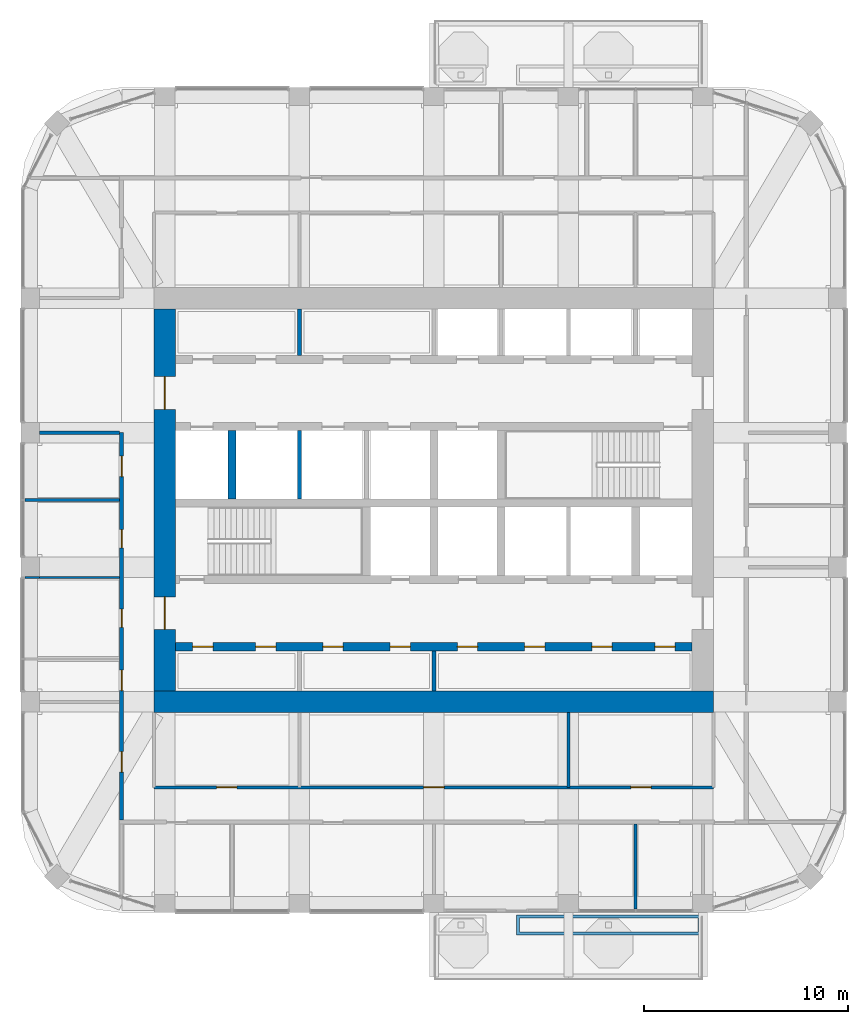
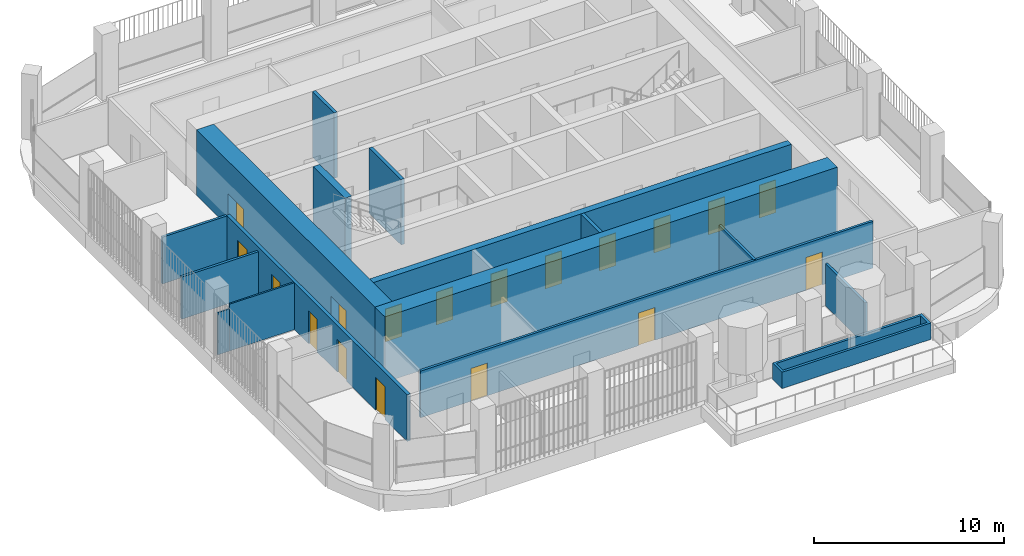
# One storey, part 14 of 21: 18 doors, 16 walls, 18 openings.
"""IFC4 building model written with IfcOpenShell, lengths in metres."""

from ifc_helpers import new_model, si_unit, direction, frame, frame_2d, origin, place, context, subcontext, project, spatial, polyline, rectangle, outline, extrude, material, layer, layer_set, type_object, element, fill, save


model = new_model("IFC4")

# Units and contexts
model_context = context("Model", 3, precision=1e-05, world=origin(), true_north=direction((0.0, 1.0)))
body_context = subcontext(model_context, "Body", "Model", "MODEL_VIEW")
ifc_project = project(units=[si_unit("LENGTHUNIT", "METRE"), si_unit("AREAUNIT", "SQUARE_METRE"), si_unit("VOLUMEUNIT", "CUBIC_METRE"), si_unit("PLANEANGLEUNIT", "RADIAN"), si_unit("MASSUNIT", "GRAM", prefix="KILO")], contexts=[model_context])

# Site, building, storey
site_placement = place(None, origin())
site = spatial("IfcSite", under=ifc_project, at=site_placement, CompositionType="ELEMENT")
building_placement = place(site_placement, origin())
building = spatial("IfcBuilding", under=site, at=building_placement, Name="Cobogo Forest Laboratory Tower", CompositionType="ELEMENT")
storey_placement = place(building_placement, frame((0.0, 0.0, 283.800048828125)))
storey = spatial("IfcBuildingStorey", under=building, at=storey_placement, Name="L65", CompositionType="ELEMENT", Elevation=283.800048828125)

# Wall, openings, doors
ifc_material_1 = material(Name="Concrete HA-50 (C50/60)", Category="concrete")
ifc_layer_1 = layer(ifc_material_1, 0.39990234375)
ifc_layer_set_1 = layer_set([ifc_layer_1], Name="CI400 core inner wall 400")
wall_type_1 = type_object("IfcWallType", Name="CI400 core inner wall 400", PredefinedType="SHEAR", material=ifc_layer_set_1)
wall_1_placement = place(storey_placement, frame((13.72509765625, 15.89990234375, 0.0), z_axis=(0.0, 0.0, 1.0), x_axis=(1.0, 0.0, 0.0)))
wall_1 = element("IfcWall", 1, at=wall_1_placement, inside=storey, type_object=wall_type_1, Name="Core wall CI-15.9 L65", PredefinedType="SHEAR", context=body_context, shape_type="SweptSolid", body=[
    extrude(rectangle(XDim=25.349853515625, YDim=0.39990234375, at=frame_2d((12.6748046875, 0.0))), origin(), (0.0, 0.0, 1.0), 4.199951171875),
])
opening_1_placement = place(wall_1_placement, frame((0.83740234375, 0.0, 0.0)))
opening_1 = element("IfcOpeningElement", 2, at=opening_1_placement, cuts=wall_1, Name="Opening L65-D13", PredefinedType="OPENING", context=body_context, shape_type="SweptSolid", body=[
    extrude(rectangle(XDim=1.0, YDim=2.10009765625, at=frame_2d((0.5, 1.050048828125))), frame((0.0, 0.2099609375, 0.0), z_axis=(0.0, -1.0, 0.0), x_axis=(1.0, 0.0, 0.0)), (0.0, 0.0, 1.0), 0.419921875),
])
opening_2_placement = place(wall_1_placement, frame((3.925048828125, 0.0, 0.0)))
opening_2 = element("IfcOpeningElement", 3, at=opening_2_placement, cuts=wall_1, Name="Opening L65-D14", PredefinedType="OPENING", context=body_context, shape_type="SweptSolid", body=[
    extrude(rectangle(XDim=1.0, YDim=2.10009765625, at=frame_2d((0.5, 1.050048828125))), frame((0.0, 0.2099609375, 0.0), z_axis=(0.0, -1.0, 0.0), x_axis=(1.0, 0.0, 0.0)), (0.0, 0.0, 1.0), 0.419921875),
])
opening_3_placement = place(wall_1_placement, frame((7.22509765625, 0.0, 0.0)))
opening_3 = element("IfcOpeningElement", 4, at=opening_3_placement, cuts=wall_1, Name="Opening L65-D15", PredefinedType="OPENING", context=body_context, shape_type="SweptSolid", body=[
    extrude(rectangle(XDim=1.0, YDim=2.10009765625, at=frame_2d((0.5, 1.050048828125))), frame((0.0, 0.2099609375, 0.0), z_axis=(0.0, -1.0, 0.0), x_axis=(1.0, 0.0, 0.0)), (0.0, 0.0, 1.0), 0.419921875),
])
opening_4_placement = place(wall_1_placement, frame((10.52490234375, 0.0, 0.0)))
opening_4 = element("IfcOpeningElement", 5, at=opening_4_placement, cuts=wall_1, Name="Opening L65-D16", PredefinedType="OPENING", context=body_context, shape_type="SweptSolid", body=[
    extrude(rectangle(XDim=1.0, YDim=2.10009765625, at=frame_2d((0.5, 1.050048828125))), frame((0.0, 0.2099609375, 0.0), z_axis=(0.0, -1.0, 0.0), x_axis=(1.0, 0.0, 0.0)), (0.0, 0.0, 1.0), 0.419921875),
])
opening_5_placement = place(wall_1_placement, frame((13.824951171875, 0.0, 0.0)))
opening_5 = element("IfcOpeningElement", 6, at=opening_5_placement, cuts=wall_1, Name="Opening L65-D17", PredefinedType="OPENING", context=body_context, shape_type="SweptSolid", body=[
    extrude(rectangle(XDim=1.0, YDim=2.10009765625, at=frame_2d((0.5, 1.050048828125))), frame((0.0, 0.2099609375, 0.0), z_axis=(0.0, -1.0, 0.0), x_axis=(1.0, 0.0, 0.0)), (0.0, 0.0, 1.0), 0.419921875),
])
opening_6_placement = place(wall_1_placement, frame((17.125, 0.0, 0.0)))
opening_6 = element("IfcOpeningElement", 7, at=opening_6_placement, cuts=wall_1, Name="Opening L65-D18", PredefinedType="OPENING", context=body_context, shape_type="SweptSolid", body=[
    extrude(rectangle(XDim=1.0, YDim=2.10009765625, at=frame_2d((0.5, 1.050048828125))), frame((0.0, 0.2099609375, 0.0), z_axis=(0.0, -1.0, 0.0), x_axis=(1.0, 0.0, 0.0)), (0.0, 0.0, 1.0), 0.419921875),
])
opening_7_placement = place(wall_1_placement, frame((20.425048828125, 0.0, 0.0)))
opening_7 = element("IfcOpeningElement", 8, at=opening_7_placement, cuts=wall_1, Name="Opening L65-D19", PredefinedType="OPENING", context=body_context, shape_type="SweptSolid", body=[
    extrude(rectangle(XDim=1.0, YDim=2.10009765625, at=frame_2d((0.5, 1.050048828125))), frame((0.0, 0.2099609375, 0.0), z_axis=(0.0, -1.0, 0.0), x_axis=(1.0, 0.0, 0.0)), (0.0, 0.0, 1.0), 0.419921875),
])
opening_8_placement = place(wall_1_placement, frame((23.512451171875, 0.0, 0.0)))
opening_8 = element("IfcOpeningElement", 9, at=opening_8_placement, cuts=wall_1, Name="Opening L65-D20", PredefinedType="OPENING", context=body_context, shape_type="SweptSolid", body=[
    extrude(rectangle(XDim=1.0, YDim=2.10009765625, at=frame_2d((0.5, 1.050048828125))), frame((0.0, 0.2099609375, 0.0), z_axis=(0.0, -1.0, 0.0), x_axis=(1.0, 0.0, 0.0)), (0.0, 0.0, 1.0), 0.419921875),
])
ifc_material_2 = material(Name="Steel fire door", Category="steel")
door_type_1 = type_object("IfcDoorType", Name="FD1 fire door 1000 EI2 60", OperationType="SINGLE_SWING_LEFT", PredefinedType="DOOR", material=ifc_material_2)
door_1_placement = place(opening_1_placement, origin())
door_1 = element("IfcDoor", 10, at=door_1_placement, inside=storey, type_object=door_type_1, Name="Door L65-SH-LA1", OperationType="SINGLE_SWING_LEFT", OverallHeight=2.10009765625, OverallWidth=1.0, PredefinedType="DOOR", context=body_context, shape_type="SweptSolid", body=[
    extrude(rectangle(XDim=1.0, YDim=2.10009765625, at=frame_2d((0.5, 1.050048828125))), frame((0.0, 0.02490234375, 0.0), z_axis=(0.0, -1.0, 0.0), x_axis=(1.0, 0.0, 0.0)), (0.0, 0.0, 1.0), 0.050048828125),
])
fill(opening_1, door_1)
door_2_placement = place(opening_2_placement, origin())
door_2 = element("IfcDoor", 11, at=door_2_placement, inside=storey, type_object=door_type_1, Name="Door L65-SH-LA2", OperationType="SINGLE_SWING_LEFT", OverallHeight=2.10009765625, OverallWidth=1.0, PredefinedType="DOOR", context=body_context, shape_type="SweptSolid", body=[
    extrude(rectangle(XDim=1.0, YDim=2.10009765625, at=frame_2d((0.5, 1.050048828125))), frame((0.0, 0.02490234375, 0.0), z_axis=(0.0, -1.0, 0.0), x_axis=(1.0, 0.0, 0.0)), (0.0, 0.0, 1.0), 0.050048828125),
])
fill(opening_2, door_2)
door_3_placement = place(opening_3_placement, origin())
door_3 = element("IfcDoor", 12, at=door_3_placement, inside=storey, type_object=door_type_1, Name="Door L65-SH-LA3", OperationType="SINGLE_SWING_LEFT", OverallHeight=2.10009765625, OverallWidth=1.0, PredefinedType="DOOR", context=body_context, shape_type="SweptSolid", body=[
    extrude(rectangle(XDim=1.0, YDim=2.10009765625, at=frame_2d((0.5, 1.050048828125))), frame((0.0, 0.02490234375, 0.0), z_axis=(0.0, -1.0, 0.0), x_axis=(1.0, 0.0, 0.0)), (0.0, 0.0, 1.0), 0.050048828125),
])
fill(opening_3, door_3)
door_4_placement = place(opening_4_placement, origin())
door_4 = element("IfcDoor", 13, at=door_4_placement, inside=storey, type_object=door_type_1, Name="Door L65-SH-LA4", OperationType="SINGLE_SWING_LEFT", OverallHeight=2.10009765625, OverallWidth=1.0, PredefinedType="DOOR", context=body_context, shape_type="SweptSolid", body=[
    extrude(rectangle(XDim=1.0, YDim=2.10009765625, at=frame_2d((0.5, 1.050048828125))), frame((0.0, 0.02490234375, 0.0), z_axis=(0.0, -1.0, 0.0), x_axis=(1.0, 0.0, 0.0)), (0.0, 0.0, 1.0), 0.050048828125),
])
fill(opening_4, door_4)
door_5_placement = place(opening_5_placement, origin())
door_5 = element("IfcDoor", 14, at=door_5_placement, inside=storey, type_object=door_type_1, Name="Door L65-SH-LB1", OperationType="SINGLE_SWING_RIGHT", OverallHeight=2.10009765625, OverallWidth=1.0, PredefinedType="DOOR", context=body_context, shape_type="SweptSolid", body=[
    extrude(rectangle(XDim=1.0, YDim=2.10009765625, at=frame_2d((0.5, 1.050048828125))), frame((0.0, 0.02490234375, 0.0), z_axis=(0.0, -1.0, 0.0), x_axis=(1.0, 0.0, 0.0)), (0.0, 0.0, 1.0), 0.050048828125),
])
fill(opening_5, door_5)
door_6_placement = place(opening_6_placement, origin())
door_6 = element("IfcDoor", 15, at=door_6_placement, inside=storey, type_object=door_type_1, Name="Door L65-SH-LB2", OperationType="SINGLE_SWING_RIGHT", OverallHeight=2.10009765625, OverallWidth=1.0, PredefinedType="DOOR", context=body_context, shape_type="SweptSolid", body=[
    extrude(rectangle(XDim=1.0, YDim=2.10009765625, at=frame_2d((0.5, 1.050048828125))), frame((0.0, 0.02490234375, 0.0), z_axis=(0.0, -1.0, 0.0), x_axis=(1.0, 0.0, 0.0)), (0.0, 0.0, 1.0), 0.050048828125),
])
fill(opening_6, door_6)
door_7_placement = place(opening_7_placement, origin())
door_7 = element("IfcDoor", 16, at=door_7_placement, inside=storey, type_object=door_type_1, Name="Door L65-SH-LB3", OperationType="SINGLE_SWING_RIGHT", OverallHeight=2.10009765625, OverallWidth=1.0, PredefinedType="DOOR", context=body_context, shape_type="SweptSolid", body=[
    extrude(rectangle(XDim=1.0, YDim=2.10009765625, at=frame_2d((0.5, 1.050048828125))), frame((0.0, 0.02490234375, 0.0), z_axis=(0.0, -1.0, 0.0), x_axis=(1.0, 0.0, 0.0)), (0.0, 0.0, 1.0), 0.050048828125),
])
fill(opening_7, door_7)
door_8_placement = place(opening_8_placement, origin())
door_8 = element("IfcDoor", 17, at=door_8_placement, inside=storey, type_object=door_type_1, Name="Door L65-SH-LB4", OperationType="SINGLE_SWING_RIGHT", OverallHeight=2.10009765625, OverallWidth=1.0, PredefinedType="DOOR", context=body_context, shape_type="SweptSolid", body=[
    extrude(rectangle(XDim=1.0, YDim=2.10009765625, at=frame_2d((0.5, 1.050048828125))), frame((0.0, 0.02490234375, 0.0), z_axis=(0.0, -1.0, 0.0), x_axis=(1.0, 0.0, 0.0)), (0.0, 0.0, 1.0), 0.050048828125),
])
fill(opening_8, door_8)

# Walls
wall_2_placement = place(storey_placement, frame((16.5, 23.14990234375, 0.0), z_axis=(0.0, 0.0, 1.0), x_axis=(0.0, 1.0, 0.0)))
element("IfcWall", 18, at=wall_2_placement, inside=storey, type_object=wall_type_1, Name="Core wall CX-16.5 L65", PredefinedType="SHEAR", context=body_context, shape_type="SweptSolid", body=[
    extrude(rectangle(XDim=3.35009765625, YDim=0.39990234375, at=frame_2d((1.675048828125, 0.0))), origin(), (0.0, 0.0, 1.0), 4.199951171875),
])
ifc_layer_2 = layer(ifc_material_1, 1.050048828125)
ifc_layer_set_2 = layer_set([ifc_layer_2], Name="CW1050 core outer wall 1050")
wall_type_2 = type_object("IfcWallType", Name="CW1050 core outer wall 1050", PredefinedType="SHEAR", material=ifc_layer_set_2)
wall_3_placement = place(storey_placement, frame((12.675048828125, 13.199951171875, 0.0), z_axis=(0.0, 0.0, 1.0), x_axis=(1.0, 0.0, 0.0)))
element("IfcWall", 19, at=wall_3_placement, inside=storey, type_object=wall_type_2, Name="Core wall CO-S L65", PredefinedType="SHEAR", context=body_context, shape_type="SweptSolid", body=[
    extrude(rectangle(XDim=27.449951171875, YDim=1.050048828125, at=frame_2d((13.72509765625, 0.0))), origin(), (0.0, 0.0, 1.0), 4.199951171875),
])

# Wall, openings, doors
wall_4_placement = place(storey_placement, frame((13.199951171875, 32.47509765625, 0.0), z_axis=(0.0, 0.0, 1.0), x_axis=(0.0, -1.0, 0.0)))
wall_4 = element("IfcWall", 20, at=wall_4_placement, inside=storey, type_object=wall_type_2, Name="Core wall CO-W L65", PredefinedType="SHEAR", context=body_context, shape_type="SweptSolid", body=[
    extrude(rectangle(XDim=18.75, YDim=1.050048828125, at=frame_2d((9.375, 0.0))), origin(), (0.0, 0.0, 1.0), 4.199951171875),
])
opening_9_placement = place(wall_4_placement, frame((14.125, 0.0, 0.0)))
opening_9 = element("IfcOpeningElement", 21, at=opening_9_placement, cuts=wall_4, Name="Opening L65-D22", PredefinedType="OPENING", context=body_context, shape_type="SweptSolid", body=[
    extrude(rectangle(XDim=1.60009765625, YDim=2.10009765625, at=frame_2d((0.800048828125, 1.050048828125))), frame((0.0, 0.534912109375, 0.0), z_axis=(0.0, -1.0, 0.0), x_axis=(1.0, 0.0, 0.0)), (0.0, 0.0, 1.0), 1.070068359375),
])
opening_10_placement = place(wall_4_placement, frame((3.324951171875, 0.0, 0.0)))
opening_10 = element("IfcOpeningElement", 22, at=opening_10_placement, cuts=wall_4, Name="Opening L65-D32", PredefinedType="OPENING", context=body_context, shape_type="SweptSolid", body=[
    extrude(rectangle(XDim=1.60009765625, YDim=2.10009765625, at=frame_2d((0.800048828125, 1.050048828125))), frame((0.0, 0.534912109375, 0.0), z_axis=(0.0, -1.0, 0.0), x_axis=(1.0, 0.0, 0.0)), (0.0, 0.0, 1.0), 1.070068359375),
])
door_type_2 = type_object("IfcDoorType", Name="DS2 protected lobby door pair 1600 EI2 60", OperationType="DOUBLE_DOOR_DOUBLE_SWING", PredefinedType="DOOR", material=ifc_material_2)
door_9_placement = place(opening_9_placement, origin())
door_9 = element("IfcDoor", 23, at=door_9_placement, inside=storey, type_object=door_type_2, Name="Door L65-CO-W-S", OperationType="DOUBLE_DOOR_DOUBLE_SWING", OverallHeight=2.10009765625, OverallWidth=1.60009765625, PredefinedType="DOOR", context=body_context, shape_type="SweptSolid", body=[
    extrude(rectangle(XDim=1.60009765625, YDim=2.10009765625, at=frame_2d((0.800048828125, 1.050048828125))), frame((0.0, 0.02490234375, 0.0), z_axis=(0.0, -1.0, 0.0), x_axis=(1.0, 0.0, 0.0)), (0.0, 0.0, 1.0), 0.050048828125),
])
fill(opening_9, door_9)
door_10_placement = place(opening_10_placement, origin())
door_10 = element("IfcDoor", 24, at=door_10_placement, inside=storey, type_object=door_type_2, Name="Door L65-CO-W-N", OperationType="DOUBLE_DOOR_DOUBLE_SWING", OverallHeight=2.10009765625, OverallWidth=1.60009765625, PredefinedType="DOOR", context=body_context, shape_type="SweptSolid", body=[
    extrude(rectangle(XDim=1.60009765625, YDim=2.10009765625, at=frame_2d((0.800048828125, 1.050048828125))), frame((0.0, 0.02490234375, 0.0), z_axis=(0.0, -1.0, 0.0), x_axis=(1.0, 0.0, 0.0)), (0.0, 0.0, 1.0), 0.050048828125),
])
fill(opening_10, door_10)

ifc_material_3 = material(Name="Gypsum board on steel studs", Category="steel")
ifc_layer_3 = layer(ifc_material_3, 0.14990234375)
ifc_layer_set_3 = layer_set([ifc_layer_3], Name="PT1 laboratory partition 150")
wall_type_3 = type_object("IfcWallType", Name="PT1 laboratory partition 150", PredefinedType="PARTITIONING", material=ifc_layer_set_3)
wall_5_placement = place(storey_placement, frame((12.675048828125, 9.0, 0.0), z_axis=(0.0, 0.0, 1.0), x_axis=(1.0, 0.0, 0.0)))
wall_5 = element("IfcWall", 25, at=wall_5_placement, inside=storey, type_object=wall_type_3, Name="Partition CSTRIP-S L65", PredefinedType="PARTITIONING", context=body_context, shape_type="SweptSolid", body=[
    extrude(rectangle(XDim=27.449951171875, YDim=0.14990234375, at=frame_2d((13.72509765625, 0.0))), origin(), (0.0, 0.0, 1.0), 3.0),
])
opening_11_placement = place(wall_5_placement, frame((3.0625, 0.0, 0.0)))
opening_11 = element("IfcOpeningElement", 26, at=opening_11_placement, cuts=wall_5, Name="Opening L65-D07", PredefinedType="OPENING", context=body_context, shape_type="SweptSolid", body=[
    extrude(rectangle(XDim=1.0, YDim=2.10009765625, at=frame_2d((0.5, 1.050048828125))), frame((0.0, 0.0849609375, 0.0), z_axis=(0.0, -1.0, 0.0), x_axis=(1.0, 0.0, 0.0)), (0.0, 0.0, 1.0), 0.169921875),
])
opening_12_placement = place(wall_5_placement, frame((13.22509765625, 0.0, 0.0)))
opening_12 = element("IfcOpeningElement", 27, at=opening_12_placement, cuts=wall_5, Name="Opening L65-D08", PredefinedType="OPENING", context=body_context, shape_type="SweptSolid", body=[
    extrude(rectangle(XDim=1.0, YDim=2.10009765625, at=frame_2d((0.5, 1.050048828125))), frame((0.0, 0.0849609375, 0.0), z_axis=(0.0, -1.0, 0.0), x_axis=(1.0, 0.0, 0.0)), (0.0, 0.0, 1.0), 0.169921875),
])
opening_13_placement = place(wall_5_placement, frame((23.387451171875, 0.0, 0.0)))
opening_13 = element("IfcOpeningElement", 28, at=opening_13_placement, cuts=wall_5, Name="Opening L65-D09", PredefinedType="OPENING", context=body_context, shape_type="SweptSolid", body=[
    extrude(rectangle(XDim=1.0, YDim=2.10009765625, at=frame_2d((0.5, 1.050048828125))), frame((0.0, 0.0849609375, 0.0), z_axis=(0.0, -1.0, 0.0), x_axis=(1.0, 0.0, 0.0)), (0.0, 0.0, 1.0), 0.169921875),
])
ifc_material_4 = material(Name="Timber fire door", Category="wood")
door_type_3 = type_object("IfcDoorType", Name="FD2 fire door 1000 EI2 30", OperationType="SINGLE_SWING_LEFT", PredefinedType="DOOR", material=ifc_material_4)
door_11_placement = place(opening_11_placement, origin())
door_11 = element("IfcDoor", 29, at=door_11_placement, inside=storey, type_object=door_type_3, Name="Door L65-CSS1", OperationType="SINGLE_SWING_LEFT", OverallHeight=2.10009765625, OverallWidth=1.0, PredefinedType="DOOR", context=body_context, shape_type="SweptSolid", body=[
    extrude(rectangle(XDim=1.0, YDim=2.10009765625, at=frame_2d((0.5, 1.050048828125))), frame((0.0, 0.02490234375, 0.0), z_axis=(0.0, -1.0, 0.0), x_axis=(1.0, 0.0, 0.0)), (0.0, 0.0, 1.0), 0.050048828125),
])
fill(opening_11, door_11)
door_12_placement = place(opening_12_placement, origin())
door_12 = element("IfcDoor", 30, at=door_12_placement, inside=storey, type_object=door_type_3, Name="Door L65-CSS2", OperationType="SINGLE_SWING_LEFT", OverallHeight=2.10009765625, OverallWidth=1.0, PredefinedType="DOOR", context=body_context, shape_type="SweptSolid", body=[
    extrude(rectangle(XDim=1.0, YDim=2.10009765625, at=frame_2d((0.5, 1.050048828125))), frame((0.0, 0.02490234375, 0.0), z_axis=(0.0, -1.0, 0.0), x_axis=(1.0, 0.0, 0.0)), (0.0, 0.0, 1.0), 0.050048828125),
])
fill(opening_12, door_12)
door_13_placement = place(opening_13_placement, origin())
door_13 = element("IfcDoor", 31, at=door_13_placement, inside=storey, type_object=door_type_3, Name="Door L65-CSS3", OperationType="SINGLE_SWING_RIGHT", OverallHeight=2.10009765625, OverallWidth=1.0, PredefinedType="DOOR", context=body_context, shape_type="SweptSolid", body=[
    extrude(rectangle(XDim=1.0, YDim=2.10009765625, at=frame_2d((0.5, 1.050048828125))), frame((0.0, 0.02490234375, 0.0), z_axis=(0.0, -1.0, 0.0), x_axis=(1.0, 0.0, 0.0)), (0.0, 0.0, 1.0), 0.050048828125),
])
fill(opening_13, door_13)

# Walls
wall_6_placement = place(storey_placement, frame((33.0, 12.675048828125, 0.0), z_axis=(0.0, 0.0, 1.0), x_axis=(0.0, -1.0, 0.0)))
element("IfcWall", 32, at=wall_6_placement, inside=storey, type_object=wall_type_3, Name="Partition CSTRIP-S33 L65", PredefinedType="PARTITIONING", context=body_context, shape_type="SweptSolid", body=[
    extrude(rectangle(XDim=3.675048828125, YDim=0.14990234375, at=frame_2d((1.83740234375, 0.0))), origin(), (0.0, 0.0, 1.0), 3.0),
])
wall_7_placement = place(storey_placement, frame((36.300048828125, 3.030029296875, 0.0), z_axis=(0.0, 0.0, 1.0), x_axis=(0.0, 1.0, 0.0)))
element("IfcWall", 33, at=wall_7_placement, inside=storey, type_object=wall_type_3, Name="Partition CUT-S36.3-1 L65", PredefinedType="PARTITIONING", context=body_context, shape_type="SweptSolid", body=[
    extrude(rectangle(XDim=4.169921875, YDim=0.14990234375, at=frame_2d((2.0849609375, 0.0))), origin(), (0.0, 0.0, 1.0), 2.699951171875),
])
wall_8_placement = place(storey_placement, frame((6.330078125, 23.10009765625, 0.0), z_axis=(0.0, 0.0, 1.0), x_axis=(1.0, 0.0, 0.0)))
element("IfcWall", 34, at=wall_8_placement, inside=storey, type_object=wall_type_3, Name="Partition SVC-W3-1 L65", PredefinedType="PARTITIONING", context=body_context, shape_type="SweptSolid", body=[
    extrude(rectangle(XDim=4.64501953125, YDim=0.14990234375, at=frame_2d((2.322509765625, 0.0))), origin(), (0.0, 0.0, 1.0), 2.699951171875),
])
wall_9_placement = place(storey_placement, frame((7.050048828125, 26.39990234375, 0.0), z_axis=(0.0, 0.0, 1.0), x_axis=(1.0, 0.0, 0.0)))
element("IfcWall", 35, at=wall_9_placement, inside=storey, type_object=wall_type_3, Name="Partition CUT-W26.4-1 L65", PredefinedType="PARTITIONING", context=body_context, shape_type="SweptSolid", body=[
    extrude(rectangle(XDim=3.925048828125, YDim=0.14990234375, at=frame_2d((1.96240234375, 0.0))), origin(), (0.0, 0.0, 1.0), 3.0),
])

# Wall, openings, doors
ifc_layer_4 = layer(ifc_material_3, 0.199951171875)
ifc_layer_set_4 = layer_set([ifc_layer_4], Name="PT2 fire-rated corridor partition 200")
wall_type_4 = type_object("IfcWallType", Name="PT2 fire-rated corridor partition 200", PredefinedType="PARTITIONING", material=ifc_layer_set_4)
wall_10_placement = place(storey_placement, frame((11.074951171875, 7.39990234375, 0.0), z_axis=(0.0, 0.0, 1.0), x_axis=(0.0, 1.0, 0.0)))
wall_10 = element("IfcWall", 36, at=wall_10_placement, inside=storey, type_object=wall_type_4, Name="Partition CORR-W-1 L65", PredefinedType="PARTITIONING", context=body_context, shape_type="SweptSolid", body=[
    extrude(rectangle(XDim=19.0, YDim=0.199951171875, at=frame_2d((9.5, 0.0))), origin(), (0.0, 0.0, 1.0), 3.0),
])
opening_14_placement = place(wall_10_placement, frame((2.35009765625, 0.0, 0.0)))
opening_14 = element("IfcOpeningElement", 37, at=opening_14_placement, cuts=wall_10, Name="Opening L65-D10", PredefinedType="OPENING", context=body_context, shape_type="SweptSolid", body=[
    extrude(rectangle(XDim=1.0, YDim=2.10009765625, at=frame_2d((0.5, 1.050048828125))), frame((0.0, 0.10986328125, 0.0), z_axis=(0.0, -1.0, 0.0), x_axis=(1.0, 0.0, 0.0)), (0.0, 0.0, 1.0), 0.219970703125),
])
opening_15_placement = place(wall_10_placement, frame((6.35009765625, 0.0, 0.0)))
opening_15 = element("IfcOpeningElement", 38, at=opening_15_placement, cuts=wall_10, Name="Opening L65-D12", PredefinedType="OPENING", context=body_context, shape_type="SweptSolid", body=[
    extrude(rectangle(XDim=1.0, YDim=2.10009765625, at=frame_2d((0.5, 1.050048828125))), frame((0.0, 0.10986328125, 0.0), z_axis=(0.0, -1.0, 0.0), x_axis=(1.0, 0.0, 0.0)), (0.0, 0.0, 1.0), 0.219970703125),
])
opening_16_placement = place(wall_10_placement, frame((9.449951171875, 0.0, 0.0)))
opening_16 = element("IfcOpeningElement", 39, at=opening_16_placement, cuts=wall_10, Name="Opening L65-D21", PredefinedType="OPENING", context=body_context, shape_type="SweptSolid", body=[
    extrude(rectangle(XDim=0.89990234375, YDim=2.10009765625, at=frame_2d((0.449951171875, 1.050048828125))), frame((0.0, 0.10986328125, 0.0), z_axis=(0.0, -1.0, 0.0), x_axis=(1.0, 0.0, 0.0)), (0.0, 0.0, 1.0), 0.219970703125),
])
opening_17_placement = place(wall_10_placement, frame((13.35009765625, 0.0, 0.0)))
opening_17 = element("IfcOpeningElement", 40, at=opening_17_placement, cuts=wall_10, Name="Opening L65-D27", PredefinedType="OPENING", context=body_context, shape_type="SweptSolid", body=[
    extrude(rectangle(XDim=0.89990234375, YDim=2.10009765625, at=frame_2d((0.449951171875, 1.050048828125))), frame((0.0, 0.10986328125, 0.0), z_axis=(0.0, -1.0, 0.0), x_axis=(1.0, 0.0, 0.0)), (0.0, 0.0, 1.0), 0.219970703125),
])
opening_18_placement = place(wall_10_placement, frame((16.85009765625, 0.0, 0.0)))
opening_18 = element("IfcOpeningElement", 41, at=opening_18_placement, cuts=wall_10, Name="Opening L65-D30", PredefinedType="OPENING", context=body_context, shape_type="SweptSolid", body=[
    extrude(rectangle(XDim=1.0, YDim=2.10009765625, at=frame_2d((0.5, 1.050048828125))), frame((0.0, 0.10986328125, 0.0), z_axis=(0.0, -1.0, 0.0), x_axis=(1.0, 0.0, 0.0)), (0.0, 0.0, 1.0), 0.219970703125),
])
door_14_placement = place(opening_14_placement, origin())
door_14 = element("IfcDoor", 42, at=door_14_placement, inside=storey, type_object=door_type_3, Name="Door L65-W1", OperationType="SINGLE_SWING_LEFT", OverallHeight=2.10009765625, OverallWidth=1.0, PredefinedType="DOOR", context=body_context, shape_type="SweptSolid", body=[
    extrude(rectangle(XDim=1.0, YDim=2.10009765625, at=frame_2d((0.5, 1.050048828125))), frame((0.0, 0.02490234375, 0.0), z_axis=(0.0, -1.0, 0.0), x_axis=(1.0, 0.0, 0.0)), (0.0, 0.0, 1.0), 0.050048828125),
])
fill(opening_14, door_14)
door_15_placement = place(opening_18_placement, origin())
door_15 = element("IfcDoor", 43, at=door_15_placement, inside=storey, type_object=door_type_3, Name="Door L65-W2", OperationType="SINGLE_SWING_RIGHT", OverallHeight=2.10009765625, OverallWidth=1.0, PredefinedType="DOOR", context=body_context, shape_type="SweptSolid", body=[
    extrude(rectangle(XDim=1.0, YDim=2.10009765625, at=frame_2d((0.5, 1.050048828125))), frame((0.0, 0.02490234375, 0.0), z_axis=(0.0, -1.0, 0.0), x_axis=(1.0, 0.0, 0.0)), (0.0, 0.0, 1.0), 0.050048828125),
])
fill(opening_18, door_15)
door_type_4 = type_object("IfcDoorType", Name="FD3 toilet fire door 900 EI2 30", OperationType="SINGLE_SWING_LEFT", PredefinedType="DOOR", material=ifc_material_4)
door_16_placement = place(opening_16_placement, origin())
door_16 = element("IfcDoor", 44, at=door_16_placement, inside=storey, type_object=door_type_4, Name="Door L65-WCF", OperationType="SINGLE_SWING_RIGHT", OverallHeight=2.10009765625, OverallWidth=0.89990234375, PredefinedType="DOOR", context=body_context, shape_type="SweptSolid", body=[
    extrude(rectangle(XDim=0.89990234375, YDim=2.10009765625, at=frame_2d((0.449951171875, 1.050048828125))), frame((0.0, 0.02490234375, 0.0), z_axis=(0.0, -1.0, 0.0), x_axis=(1.0, 0.0, 0.0)), (0.0, 0.0, 1.0), 0.050048828125),
])
fill(opening_16, door_16)
door_17_placement = place(opening_17_placement, origin())
door_17 = element("IfcDoor", 45, at=door_17_placement, inside=storey, type_object=door_type_4, Name="Door L65-WCM", OperationType="SINGLE_SWING_RIGHT", OverallHeight=2.10009765625, OverallWidth=0.89990234375, PredefinedType="DOOR", context=body_context, shape_type="SweptSolid", body=[
    extrude(rectangle(XDim=0.89990234375, YDim=2.10009765625, at=frame_2d((0.449951171875, 1.050048828125))), frame((0.0, 0.02490234375, 0.0), z_axis=(0.0, -1.0, 0.0), x_axis=(1.0, 0.0, 0.0)), (0.0, 0.0, 1.0), 0.050048828125),
])
fill(opening_17, door_17)
door_type_5 = type_object("IfcDoorType", Name="FDA1 accessible toilet fire door 1000 EI2 30", OperationType="SINGLE_SWING_RIGHT", PredefinedType="DOOR", material=ifc_material_4)
door_18_placement = place(opening_15_placement, origin())
door_18 = element("IfcDoor", 46, at=door_18_placement, inside=storey, type_object=door_type_5, Name="Door L65-WCA", OperationType="SINGLE_SWING_LEFT", OverallHeight=2.10009765625, OverallWidth=1.0, PredefinedType="DOOR", context=body_context, shape_type="SweptSolid", body=[
    extrude(rectangle(XDim=1.0, YDim=2.10009765625, at=frame_2d((0.5, 1.050048828125))), frame((0.0, 0.02490234375, 0.0), z_axis=(0.0, -1.0, 0.0), x_axis=(1.0, 0.0, 0.0)), (0.0, 0.0, 1.0), 0.050048828125),
])
fill(opening_15, door_18)

# Walls
ifc_layer_5 = layer(ifc_material_3, 0.10009765625)
ifc_layer_set_5 = layer_set([ifc_layer_5], Name="PT3 toilet partition 100")
wall_type_5 = type_object("IfcWallType", Name="PT3 toilet partition 100", PredefinedType="PARTITIONING", material=ifc_layer_set_5)
wall_11_placement = place(storey_placement, frame((6.330078125, 19.300048828125, 0.0), z_axis=(0.0, 0.0, 1.0), x_axis=(1.0, 0.0, 0.0)))
element("IfcWall", 47, at=wall_11_placement, inside=storey, type_object=wall_type_5, Name="Partition SVC-W2-1 L65", PredefinedType="PARTITIONING", context=body_context, shape_type="SweptSolid", body=[
    extrude(rectangle(XDim=0.719970703125, YDim=0.10009765625, at=frame_2d((0.35986328125, 0.0))), origin(), (0.0, 0.0, 1.0), 2.699951171875),
])
wall_12_placement = place(storey_placement, frame((7.050048828125, 19.300048828125, 0.0), z_axis=(0.0, 0.0, 1.0), x_axis=(1.0, 0.0, 0.0)))
element("IfcWall", 48, at=wall_12_placement, inside=storey, type_object=wall_type_5, Name="Partition SVC-W2-2 L65", PredefinedType="PARTITIONING", context=body_context, shape_type="SweptSolid", body=[
    extrude(rectangle(XDim=3.925048828125, YDim=0.10009765625, at=frame_2d((1.96240234375, 0.0))), origin(), (0.0, 0.0, 1.0), 3.0),
])
ifc_material_5 = material(Name="Concrete HA-40 (C40/50)", Category="concrete")
ifc_layer_6 = layer(ifc_material_5, 0.14990234375)
ifc_layer_set_6 = layer_set([ifc_layer_6], Name="Planter box 1000x1050")
wall_type_6 = type_object("IfcWallType", Name="Planter box 1000x1050", PredefinedType="USERDEFINED", material=ifc_layer_set_6)
wall_13_placement = place(storey_placement, origin())
element("IfcWall", 49, at=wall_13_placement, inside=storey, type_object=wall_type_6, Name="Planter BAL-S1-2 L65", ObjectType="PLANTER", PredefinedType="USERDEFINED", context=body_context, shape_type="SweptSolid", body=[
    extrude(outline(polyline([(30.449951171875, 1.75), (39.5, 1.75), (39.5, 2.75), (30.449951171875, 2.75), (30.449951171875, 1.75)]), holes=[polyline([(30.60009765625, 1.89990234375), (39.35009765625, 1.89990234375), (39.35009765625, 2.60009765625), (30.60009765625, 2.60009765625), (30.60009765625, 1.89990234375)])]), origin(), (0.0, 0.0, 1.0), 1.050048828125),
])
ifc_material_6 = material(Name="Concrete block", Category="concrete")
ifc_layer_7 = layer(ifc_material_6, 0.199951171875)
ifc_layer_set_7 = layer_set([ifc_layer_7], Name="SW200 lift shaft separator 200")
wall_type_7 = type_object("IfcWallType", Name="SW200 lift shaft separator 200", PredefinedType="PARTITIONING", material=ifc_layer_set_7)
wall_14_placement = place(storey_placement, frame((19.800048828125, 30.199951171875, 0.0), z_axis=(0.0, 0.0, 1.0), x_axis=(0.0, 1.0, 0.0)))
element("IfcWall", 50, at=wall_14_placement, inside=storey, type_object=wall_type_7, Name="Core wall SEP-N2 L65", PredefinedType="PARTITIONING", context=body_context, shape_type="SweptSolid", body=[
    extrude(rectangle(XDim=2.275146484375, YDim=0.199951171875, at=frame_2d((1.1376953125, 0.0))), origin(), (0.0, 0.0, 1.0), 4.199951171875),
])
wall_15_placement = place(storey_placement, frame((26.39990234375, 13.72509765625, 0.0), z_axis=(0.0, 0.0, 1.0), x_axis=(0.0, 1.0, 0.0)))
element("IfcWall", 51, at=wall_15_placement, inside=storey, type_object=wall_type_7, Name="Core wall SEP-S4 L65", PredefinedType="PARTITIONING", context=body_context, shape_type="SweptSolid", body=[
    extrude(rectangle(XDim=1.974853515625, YDim=0.199951171875, at=frame_2d((0.9873046875, 0.0))), origin(), (0.0, 0.0, 1.0), 4.199951171875),
])
wall_16_placement = place(storey_placement, frame((19.800048828125, 23.14990234375, 0.0), z_axis=(0.0, 0.0, 1.0), x_axis=(0.0, 1.0, 0.0)))
element("IfcWall", 52, at=wall_16_placement, inside=storey, type_object=wall_type_7, Name="Core wall SEP-M19.8 L65", PredefinedType="PARTITIONING", context=body_context, shape_type="SweptSolid", body=[
    extrude(rectangle(XDim=3.35009765625, YDim=0.199951171875, at=frame_2d((1.675048828125, 0.0))), origin(), (0.0, 0.0, 1.0), 4.199951171875),
])

save(model, "model.ifc")
